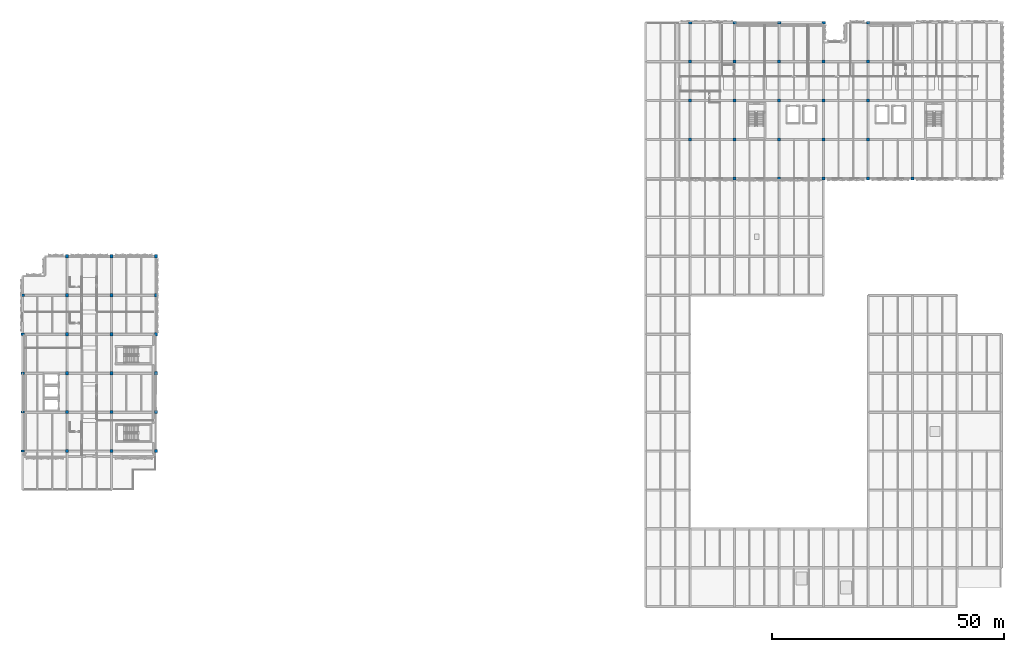
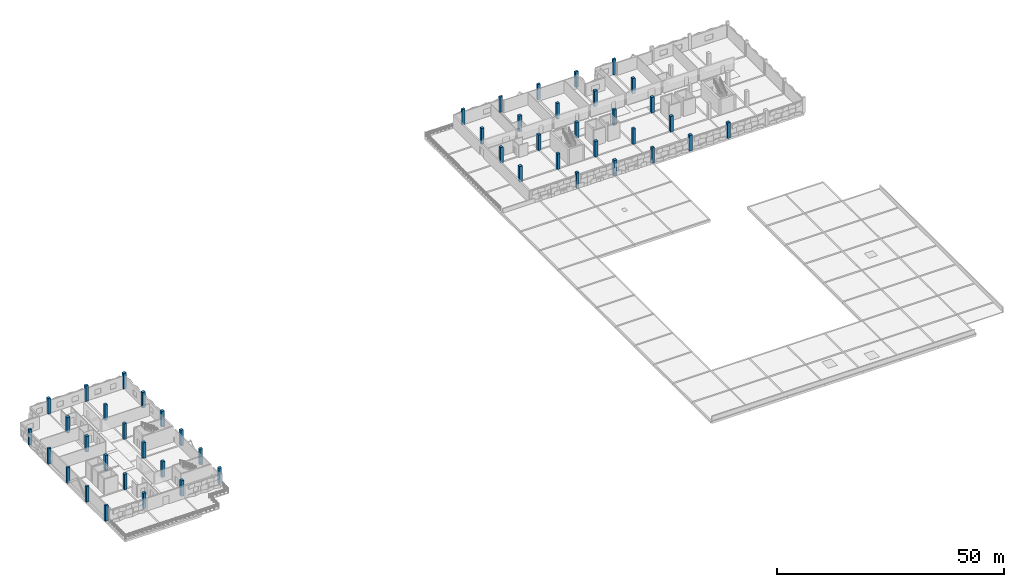
# One storey, part 1 of 24: 48 columns.
"""IFC4 building model written with IfcOpenShell, lengths in metres."""

from ifc_helpers import new_model, si_unit, direction, frame, origin, origin_2d, place, context, subcontext, project, spatial, rectangle, extrude, material, material_profile, profile_set, type_object, element, save


model = new_model("IFC4")

# Units and contexts
model_context = context("Model", 3, precision=1e-05, world=origin(), true_north=direction((0.0, 1.0)))
body_context = subcontext(model_context, "Body", "Model", "MODEL_VIEW")
ifc_project = project(units=[si_unit("LENGTHUNIT", "METRE"), si_unit("AREAUNIT", "SQUARE_METRE"), si_unit("VOLUMEUNIT", "CUBIC_METRE"), si_unit("PLANEANGLEUNIT", "RADIAN"), si_unit("MASSUNIT", "GRAM", prefix="KILO")], contexts=[model_context])

# Site, building, storey
site_placement = place(None, origin())
site = spatial("IfcSite", under=ifc_project, at=site_placement, CompositionType="ELEMENT")
building_placement = place(site_placement, origin())
building = spatial("IfcBuilding", under=site, at=building_placement, Name="Oolite Switchyard Hospital", CompositionType="ELEMENT")
storey_placement = place(building_placement, frame((0.0, 0.0, 22.0)))
storey = spatial("IfcBuildingStorey", under=building, at=storey_placement, Name="L05", CompositionType="ELEMENT", Elevation=22.0)

# Columns
ifc_material = material(Name="Concrete C50/60", Category="concrete")
ifc_material_profile_1 = material_profile(ifc_material, rectangle(XDim=0.699951171875, YDim=0.699951171875, at=origin_2d()), Name="RC700X700")
ifc_profile_set_1 = profile_set([ifc_material_profile_1], Name="Concrete C50/60")
column_type_1 = type_object("IfcColumnType", Name="COL-RC700", PredefinedType="COLUMN", material=ifc_profile_set_1)
for number, where, z_axis, x_axis, name in (
    (1, (9.60009765625, 42.0, 0.0), (0.0, 0.0, 1.0), (1.0, 0.0, 0.0), "L05 Column 1278"),
    (2, (9.60009765625, 50.39990234375, 0.0), (0.0, 0.0, 1.0), (1.0, 0.0, 0.0), "L05 Column 1279"),
    (3, (9.60009765625, 58.800048828125, 0.0), (0.0, 0.0, 1.0), (1.0, 0.0, 0.0), "L05 Column 1280"),
    (4, (9.60009765625, 67.199951171875, 0.0), (0.0, 0.0, 1.0), (1.0, 0.0, 0.0), "L05 Column 1281"),
    (5, (9.60009765625, 75.60009765625, 0.0), (0.0, 0.0, 1.0), (1.0, 0.0, 0.0), "L05 Column 1282"),
    (6, (9.60009765625, 84.0, 0.0), (0.0, 0.0, 1.0), (1.0, 0.0, 0.0), "L05 Column 1283"),
    (7, (19.199951171875, 42.0, 0.0), (0.0, 0.0, 1.0), (1.0, 0.0, 0.0), "L05 Column 1284"),
    (8, (19.199951171875, 50.39990234375, 0.0), (0.0, 0.0, 1.0), (1.0, 0.0, 0.0), "L05 Column 1285"),
    (9, (19.199951171875, 58.800048828125, 0.0), (0.0, 0.0, 1.0), (1.0, 0.0, 0.0), "L05 Column 1286"),
    (10, (19.199951171875, 67.199951171875, 0.0), (0.0, 0.0, 1.0), (1.0, 0.0, 0.0), "L05 Column 1287"),
    (11, (19.199951171875, 75.60009765625, 0.0), (0.0, 0.0, 1.0), (1.0, 0.0, 0.0), "L05 Column 1288"),
    (12, (19.199951171875, 84.0, 0.0), (0.0, 0.0, 1.0), (1.0, 0.0, 0.0), "L05 Column 1289"),
    (13, (28.800048828125, 42.0, 0.0), (0.0, 0.0, 1.0), (1.0, 0.0, 0.0), "L05 Column 1290"),
    (14, (28.800048828125, 50.39990234375, 0.0), (0.0, 0.0, 1.0), (1.0, 0.0, 0.0), "L05 Column 1291"),
    (15, (28.800048828125, 58.800048828125, 0.0), (0.0, 0.0, 1.0), (1.0, 0.0, 0.0), "L05 Column 1292"),
    (16, (28.800048828125, 67.199951171875, 0.0), (0.0, 0.0, 1.0), (1.0, 0.0, 0.0), "L05 Column 1293"),
    (17, (28.800048828125, 75.60009765625, 0.0), (0.0, 0.0, 1.0), (1.0, 0.0, 0.0), "L05 Column 1294"),
    (18, (28.800048828125, 84.0, 0.0), (0.0, 0.0, 1.0), (1.0, 0.0, 0.0), "L05 Column 1295"),
    (19, (144.0, 109.199951171875, 0.0), (0.0, 0.0, 1.0), (1.0, 0.0, 0.0), "L05 Column 1296"),
    (20, (144.0, 117.60009765625, 0.0), (0.0, 0.0, 1.0), (1.0, 0.0, 0.0), "L05 Column 1297"),
    (21, (144.0, 126.0, 0.0), (0.0, 0.0, 1.0), (1.0, 0.0, 0.0), "L05 Column 1298"),
    (22, (153.60009765625, 100.800048828125, 0.0), (0.0, 0.0, 1.0), (1.0, 0.0, 0.0), "L05 Column 1300"),
    (23, (153.60009765625, 109.199951171875, 0.0), (0.0, 0.0, 1.0), (1.0, 0.0, 0.0), "L05 Column 1301"),
    (24, (153.60009765625, 117.60009765625, 0.0), (0.0, 0.0, 1.0), (1.0, 0.0, 0.0), "L05 Column 1302"),
    (25, (153.60009765625, 126.0, 0.0), (0.0, 0.0, 1.0), (1.0, 0.0, 0.0), "L05 Column 1303"),
    (26, (163.199951171875, 100.800048828125, 0.0), (0.0, 0.0, 1.0), (1.0, 0.0, 0.0), "L05 Column 1305"),
    (27, (163.199951171875, 109.199951171875, 0.0), (0.0, 0.0, 1.0), (1.0, 0.0, 0.0), "L05 Column 1306"),
    (28, (163.199951171875, 117.60009765625, 0.0), (0.0, 0.0, 1.0), (1.0, 0.0, 0.0), "L05 Column 1307"),
    (29, (163.199951171875, 126.0, 0.0), (0.0, 0.0, 1.0), (1.0, 0.0, 0.0), "L05 Column 1308"),
    (30, (172.800048828125, 100.800048828125, 0.0), (0.0, 0.0, 1.0), (1.0, 0.0, 0.0), "L05 Column 1310"),
    (31, (172.800048828125, 109.199951171875, 0.0), (0.0, 0.0, 1.0), (1.0, 0.0, 0.0), "L05 Column 1311"),
    (32, (172.800048828125, 117.60009765625, 0.0), (0.0, 0.0, 1.0), (1.0, 0.0, 0.0), "L05 Column 1312"),
    (33, (172.800048828125, 126.0, 0.0), (0.0, 0.0, 1.0), (1.0, 0.0, 0.0), "L05 Column 1313"),
    (34, (182.39990234375, 100.800048828125, 0.0), (0.0, 0.0, 1.0), (1.0, 0.0, 0.0), "L05 Column 1315"),
    (35, (182.39990234375, 109.199951171875, 0.0), (0.0, 0.0, 1.0), (1.0, 0.0, 0.0), "L05 Column 1316"),
    (36, (182.39990234375, 117.60009765625, 0.0), (0.0, 0.0, 1.0), (1.0, 0.0, 0.0), "L05 Column 1317"),
    (37, (182.39990234375, 126.0, 0.0), (0.0, 0.0, 1.0), (1.0, 0.0, 0.0), "L05 Column 1318"),
    (38, (192.0, 100.800048828125, 0.0), (0.0, 0.0, 1.0), (1.0, 0.0, 0.0), "L05 Column 1320"),
):
    element("IfcColumn", number, at=place(storey_placement, frame(where, z_axis=z_axis, x_axis=x_axis)), inside=storey, type_object=column_type_1, Name=name, PredefinedType="COLUMN", context=body_context, shape_type="SweptSolid", body=[
        extrude(rectangle(XDim=0.699951171875, YDim=0.699951171875, at=origin_2d()), origin(), (0.0, 0.0, 1.0), 4.199951171875),
    ])
ifc_material_profile_2 = material_profile(ifc_material, rectangle(XDim=0.75, YDim=0.5, at=origin_2d()), Name="RC750X500")
ifc_profile_set_2 = profile_set([ifc_material_profile_2], Name="Concrete C50/60")
column_type_2 = type_object("IfcColumnType", Name="COL-RCR750", PredefinedType="COLUMN", material=ifc_profile_set_2)
for number, where, z_axis, x_axis, name in (
    (39, (0.0, 42.0, 0.0), (0.0, 0.0, 1.0), (1.0, 0.0, 0.0), "L05 Column 1273"),
    (40, (0.0, 50.39990234375, 0.0), (0.0, 0.0, 1.0), (1.0, 0.0, 0.0), "L05 Column 1274"),
    (41, (0.0, 58.800048828125, 0.0), (0.0, 0.0, 1.0), (1.0, 0.0, 0.0), "L05 Column 1275"),
    (42, (0.0, 67.199951171875, 0.0), (0.0, 0.0, 1.0), (1.0, 0.0, 0.0), "L05 Column 1276"),
    (43, (0.0, 75.60009765625, 0.0), (0.0, 0.0, 1.0), (1.0, 0.0, 0.0), "L05 Column 1277"),
    (44, (144.0, 134.39990234375, 0.0), (0.0, 0.0, 1.0), (1.0, 0.0, 0.0), "L05 Column 1299"),
    (45, (153.60009765625, 134.39990234375, 0.0), (0.0, 0.0, 1.0), (1.0, 0.0, 0.0), "L05 Column 1304"),
    (46, (163.199951171875, 134.39990234375, 0.0), (0.0, 0.0, 1.0), (1.0, 0.0, 0.0), "L05 Column 1309"),
    (47, (172.800048828125, 134.39990234375, 0.0), (0.0, 0.0, 1.0), (1.0, 0.0, 0.0), "L05 Column 1314"),
    (48, (182.39990234375, 134.39990234375, 0.0), (0.0, 0.0, 1.0), (1.0, 0.0, 0.0), "L05 Column 1319"),
):
    element("IfcColumn", number, at=place(storey_placement, frame(where, z_axis=z_axis, x_axis=x_axis)), inside=storey, type_object=column_type_2, Name=name, PredefinedType="COLUMN", context=body_context, shape_type="SweptSolid", body=[
        extrude(rectangle(XDim=0.75, YDim=0.5, at=origin_2d()), origin(), (0.0, 0.0, 1.0), 4.199951171875),
    ])

save(model, "model.ifc")
